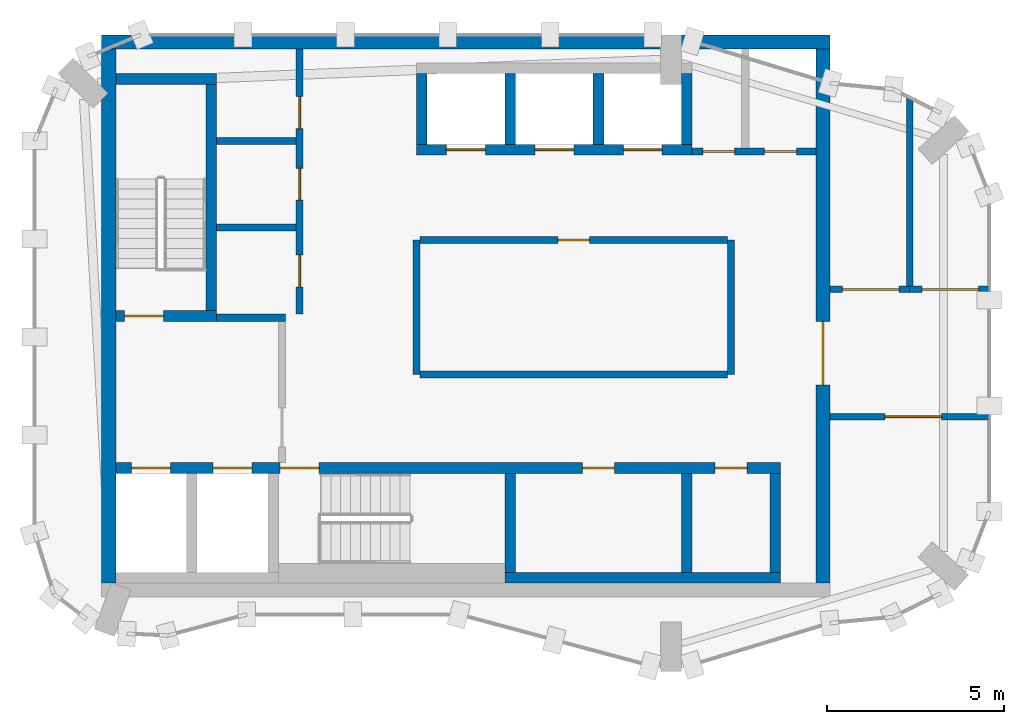
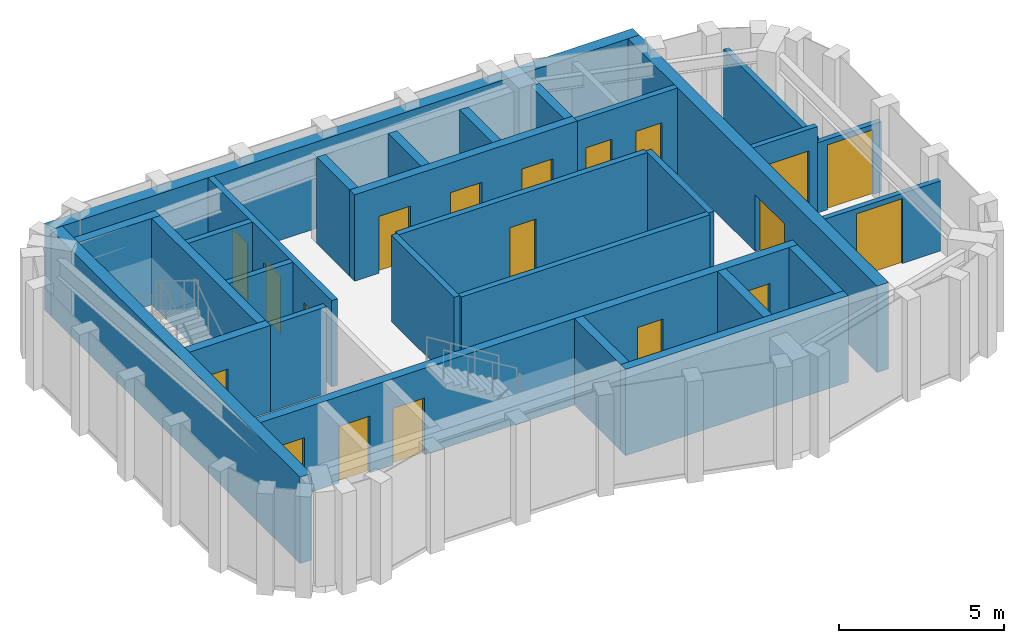
# One storey, part 3 of 5: 29 walls, 19 doors, 19 openings.
"""IFC4 building model written with IfcOpenShell, lengths in metres."""

from ifc_helpers import new_model, si_unit, direction, frame, frame_2d, origin, place, context, subcontext, project, spatial, rectangle, extrude, material, layer, layer_set, type_object, element, fill, save


model = new_model("IFC4")

# Units and contexts
model_context = context("Model", 3, precision=1e-05, world=origin(), true_north=direction((0.0, 1.0)))
body_context = subcontext(model_context, "Body", "Model", "MODEL_VIEW")
ifc_project = project(units=[si_unit("LENGTHUNIT", "METRE"), si_unit("AREAUNIT", "SQUARE_METRE"), si_unit("VOLUMEUNIT", "CUBIC_METRE"), si_unit("PLANEANGLEUNIT", "RADIAN"), si_unit("MASSUNIT", "GRAM", prefix="KILO")], contexts=[model_context])

# Site, building, storey
site_placement = place(None, origin())
site = spatial("IfcSite", under=ifc_project, at=site_placement, CompositionType="ELEMENT")
building_placement = place(site_placement, origin())
building = spatial("IfcBuilding", under=site, at=building_placement, Name="Plateau Cross Towers", CompositionType="ELEMENT")
storey_placement = place(building_placement, frame((0.0, 0.0, 308.89990234375)))
storey = spatial("IfcBuildingStorey", under=building, at=storey_placement, Name="L82 Crown 3", CompositionType="ELEMENT", Elevation=308.89990234375)

# Walls
ifc_material_1 = material(Name="Concrete block, plastered both sides", Category="concrete")
ifc_layer_1 = layer(ifc_material_1, 0.199951171875)
ifc_layer_set_1 = layer_set([ifc_layer_1], Name="Concrete block, plastered both sides")
wall_type_1 = type_object("IfcWallType", Name="Core partition 200", PredefinedType="PARTITIONING", material=ifc_layer_set_1)
wall_1_placement = place(storey_placement, frame((5.14990234375, 10.0, 0.0), z_axis=(0.0, 0.0, 1.0), x_axis=(1.0, 0.0, 0.0)))
element("IfcWall", 1, at=wall_1_placement, inside=storey, type_object=wall_type_1, Name="Core partition", PredefinedType="PARTITIONING", context=body_context, shape_type="SweptSolid", body=[
    extrude(rectangle(XDim=1.9501953125, YDim=0.199951171875, at=frame_2d((0.97509765625, 0.0))), origin(), (0.0, 0.0, 1.0), 3.2001953125),
])
wall_2_placement = place(storey_placement, frame((10.800048828125, 8.39990234375, 0.0), z_axis=(0.0, 0.0, 1.0), x_axis=(0.0, 1.0, 0.0)))
element("IfcWall", 2, at=wall_2_placement, inside=storey, type_object=wall_type_1, Name="Core partition", PredefinedType="PARTITIONING", context=body_context, shape_type="SweptSolid", body=[
    extrude(rectangle(XDim=3.800048828125, YDim=0.199951171875, at=frame_2d((1.89990234375, 0.0))), origin(), (0.0, 0.0, 1.0), 3.2001953125),
])
wall_3_placement = place(storey_placement, frame((10.89990234375, 8.39990234375, 0.0), z_axis=(0.0, 0.0, 1.0), x_axis=(1.0, 0.0, 0.0)))
element("IfcWall", 3, at=wall_3_placement, inside=storey, type_object=wall_type_1, Name="Core partition", PredefinedType="PARTITIONING", context=body_context, shape_type="SweptSolid", body=[
    extrude(rectangle(XDim=8.7001953125, YDim=0.199951171875, at=frame_2d((4.35009765625, 0.0))), origin(), (0.0, 0.0, 1.0), 3.2001953125),
])
wall_4_placement = place(storey_placement, frame((19.699951171875, 8.39990234375, 0.0), z_axis=(0.0, 0.0, 1.0), x_axis=(0.0, 1.0, 0.0)))
element("IfcWall", 4, at=wall_4_placement, inside=storey, type_object=wall_type_1, Name="Core partition", PredefinedType="PARTITIONING", context=body_context, shape_type="SweptSolid", body=[
    extrude(rectangle(XDim=3.800048828125, YDim=0.199951171875, at=frame_2d((1.89990234375, 0.0))), origin(), (0.0, 0.0, 1.0), 3.2001953125),
])

# Wall, opening, door
wall_5_placement = place(storey_placement, frame((10.89990234375, 12.199951171875, 0.0), z_axis=(0.0, 0.0, 1.0), x_axis=(1.0, 0.0, 0.0)))
wall_5 = element("IfcWall", 5, at=wall_5_placement, inside=storey, type_object=wall_type_1, Name="Core partition", PredefinedType="PARTITIONING", context=body_context, shape_type="SweptSolid", body=[
    extrude(rectangle(XDim=8.7001953125, YDim=0.199951171875, at=frame_2d((4.35009765625, 0.0))), origin(), (0.0, 0.0, 1.0), 3.2001953125),
])
opening_1_placement = place(wall_5_placement, frame((3.89990234375, 0.0, 0.0)))
opening_1 = element("IfcOpeningElement", 6, at=opening_1_placement, cuts=wall_5, Name="Opening RD1", PredefinedType="OPENING", context=body_context, shape_type="SweptSolid", body=[
    extrude(rectangle(XDim=0.89990234375, YDim=2.10009765625, at=frame_2d((0.449951171875, 1.050048828125))), frame((0.0, 0.10986328125, 0.0), z_axis=(0.0, -1.0, 0.0), x_axis=(1.0, 0.0, 0.0)), (0.0, 0.0, 1.0), 0.219970703125),
])
ifc_material_2 = material(Name="Timber, fire-resisting leaf", Category="wood")
door_type_1 = type_object("IfcDoorType", Name="Core service door 900", OperationType="NOTDEFINED", PredefinedType="DOOR", material=ifc_material_2)
door_1_placement = place(opening_1_placement, origin())
door_1 = element("IfcDoor", 7, at=door_1_placement, inside=storey, type_object=door_type_1, Name="Core service door RD1", OperationType="SINGLE_SWING_LEFT", OverallHeight=2.10009765625, OverallWidth=0.89990234375, PredefinedType="DOOR", context=body_context, shape_type="SweptSolid", body=[
    extrude(rectangle(XDim=0.89990234375, YDim=2.10009765625, at=frame_2d((0.449951171875, 1.050048828125))), frame((0.0, 0.02490234375, 0.0), z_axis=(0.0, -1.0, 0.0), x_axis=(1.0, 0.0, 0.0)), (0.0, 0.0, 1.0), 0.050048828125),
])
fill(opening_1, door_1)

# Wall, openings, doors
wall_6_placement = place(storey_placement, frame((7.5, 10.10009765625, 0.0), z_axis=(0.0, 0.0, 1.0), x_axis=(0.0, 1.0, 0.0)))
wall_6 = element("IfcWall", 8, at=wall_6_placement, inside=storey, type_object=wall_type_1, Name="Core partition", PredefinedType="PARTITIONING", context=body_context, shape_type="SweptSolid", body=[
    extrude(rectangle(XDim=7.5, YDim=0.199951171875, at=frame_2d((3.75, 0.0))), origin(), (0.0, 0.0, 1.0), 3.2001953125),
])
opening_2_placement = place(wall_6_placement, frame((0.77490234375, 0.0, 0.0)))
opening_2 = element("IfcOpeningElement", 9, at=opening_2_placement, cuts=wall_6, Name="Opening RD1", PredefinedType="OPENING", context=body_context, shape_type="SweptSolid", body=[
    extrude(rectangle(XDim=0.89990234375, YDim=2.10009765625, at=frame_2d((0.449951171875, 1.050048828125))), frame((0.0, 0.10986328125, 0.0), z_axis=(0.0, -1.0, 0.0), x_axis=(1.0, 0.0, 0.0)), (0.0, 0.0, 1.0), 0.219970703125),
])
opening_3_placement = place(wall_6_placement, frame((3.22509765625, 0.0, 0.0)))
opening_3 = element("IfcOpeningElement", 10, at=opening_3_placement, cuts=wall_6, Name="Opening RD1", PredefinedType="OPENING", context=body_context, shape_type="SweptSolid", body=[
    extrude(rectangle(XDim=0.89990234375, YDim=2.10009765625, at=frame_2d((0.449951171875, 1.050048828125))), frame((0.0, 0.10986328125, 0.0), z_axis=(0.0, -1.0, 0.0), x_axis=(1.0, 0.0, 0.0)), (0.0, 0.0, 1.0), 0.219970703125),
])
opening_4_placement = place(wall_6_placement, frame((5.25, 0.0, 0.0)))
opening_4 = element("IfcOpeningElement", 11, at=opening_4_placement, cuts=wall_6, Name="Opening RD1", PredefinedType="OPENING", context=body_context, shape_type="SweptSolid", body=[
    extrude(rectangle(XDim=0.89990234375, YDim=2.10009765625, at=frame_2d((0.449951171875, 1.050048828125))), frame((0.0, 0.10986328125, 0.0), z_axis=(0.0, -1.0, 0.0), x_axis=(1.0, 0.0, 0.0)), (0.0, 0.0, 1.0), 0.219970703125),
])
door_2_placement = place(opening_2_placement, origin())
door_2 = element("IfcDoor", 12, at=door_2_placement, inside=storey, type_object=door_type_1, Name="Core service door RD1", OperationType="SINGLE_SWING_RIGHT", OverallHeight=2.10009765625, OverallWidth=0.89990234375, PredefinedType="DOOR", context=body_context, shape_type="SweptSolid", body=[
    extrude(rectangle(XDim=0.89990234375, YDim=2.10009765625, at=frame_2d((0.449951171875, 1.050048828125))), frame((0.0, 0.02490234375, 0.0), z_axis=(0.0, -1.0, 0.0), x_axis=(1.0, 0.0, 0.0)), (0.0, 0.0, 1.0), 0.050048828125),
])
fill(opening_2, door_2)
door_3_placement = place(opening_3_placement, origin())
door_3 = element("IfcDoor", 13, at=door_3_placement, inside=storey, type_object=door_type_1, Name="Core service door RD1", OperationType="SINGLE_SWING_RIGHT", OverallHeight=2.10009765625, OverallWidth=0.89990234375, PredefinedType="DOOR", context=body_context, shape_type="SweptSolid", body=[
    extrude(rectangle(XDim=0.89990234375, YDim=2.10009765625, at=frame_2d((0.449951171875, 1.050048828125))), frame((0.0, 0.02490234375, 0.0), z_axis=(0.0, -1.0, 0.0), x_axis=(1.0, 0.0, 0.0)), (0.0, 0.0, 1.0), 0.050048828125),
])
fill(opening_3, door_3)
door_4_placement = place(opening_4_placement, origin())
door_4 = element("IfcDoor", 14, at=door_4_placement, inside=storey, type_object=door_type_1, Name="Core service door RD1", OperationType="SINGLE_SWING_RIGHT", OverallHeight=2.10009765625, OverallWidth=0.89990234375, PredefinedType="DOOR", context=body_context, shape_type="SweptSolid", body=[
    extrude(rectangle(XDim=0.89990234375, YDim=2.10009765625, at=frame_2d((0.449951171875, 1.050048828125))), frame((0.0, 0.02490234375, 0.0), z_axis=(0.0, -1.0, 0.0), x_axis=(1.0, 0.0, 0.0)), (0.0, 0.0, 1.0), 0.050048828125),
])
fill(opening_4, door_4)

# Walls
for number, where, z_axis, x_axis, name in (
    (15, (5.14990234375, 12.550048828125, 0.0), (0.0, 0.0, 1.0), (1.0, 0.0, 0.0), "Core partition"),
    (16, (5.14990234375, 15.0, 0.0), (0.0, 0.0, 1.0), (1.0, 0.0, 0.0), "Core partition"),
):
    element("IfcWall", number, at=place(storey_placement, frame(where, z_axis=z_axis, x_axis=x_axis)), inside=storey, type_object=wall_type_1, Name=name, PredefinedType="PARTITIONING", context=body_context, shape_type="SweptSolid", body=[
        extrude(rectangle(XDim=2.25, YDim=0.199951171875, at=frame_2d((1.125, 0.0))), origin(), (0.0, 0.0, 1.0), 3.2001953125),
    ])

# Wall, openings, doors
wall_7_placement = place(storey_placement, frame((18.60009765625, 14.699951171875, 0.0), z_axis=(0.0, 0.0, 1.0), x_axis=(1.0, 0.0, 0.0)))
wall_7 = element("IfcWall", 17, at=wall_7_placement, inside=storey, type_object=wall_type_1, Name="Core partition", PredefinedType="PARTITIONING", context=body_context, shape_type="SweptSolid", body=[
    extrude(rectangle(XDim=3.5, YDim=0.199951171875, at=frame_2d((1.75, 0.0))), origin(), (0.0, 0.0, 1.0), 3.2001953125),
])
opening_5_placement = place(wall_7_placement, frame((0.300048828125, 0.0, 0.0)))
opening_5 = element("IfcOpeningElement", 18, at=opening_5_placement, cuts=wall_7, Name="Opening RD2", PredefinedType="OPENING", context=body_context, shape_type="SweptSolid", body=[
    extrude(rectangle(XDim=0.89990234375, YDim=2.10009765625, at=frame_2d((0.449951171875, 1.050048828125))), frame((0.0, 0.10986328125, 0.0), z_axis=(0.0, -1.0, 0.0), x_axis=(1.0, 0.0, 0.0)), (0.0, 0.0, 1.0), 0.219970703125),
])
opening_6_placement = place(wall_7_placement, frame((2.050048828125, 0.0, 0.0)))
opening_6 = element("IfcOpeningElement", 19, at=opening_6_placement, cuts=wall_7, Name="Opening RD2", PredefinedType="OPENING", context=body_context, shape_type="SweptSolid", body=[
    extrude(rectangle(XDim=0.89990234375, YDim=2.10009765625, at=frame_2d((0.449951171875, 1.050048828125))), frame((0.0, 0.10986328125, 0.0), z_axis=(0.0, -1.0, 0.0), x_axis=(1.0, 0.0, 0.0)), (0.0, 0.0, 1.0), 0.219970703125),
])
ifc_material_3 = material(Name="Steel, fire-resisting leaf", Category="steel")
door_type_2 = type_object("IfcDoorType", Name="Core riser door 900", OperationType="NOTDEFINED", PredefinedType="DOOR", material=ifc_material_3)
door_5_placement = place(opening_5_placement, origin())
door_5 = element("IfcDoor", 20, at=door_5_placement, inside=storey, type_object=door_type_2, Name="Core riser door RD2", OperationType="SINGLE_SWING_LEFT", OverallHeight=2.10009765625, OverallWidth=0.89990234375, PredefinedType="DOOR", context=body_context, shape_type="SweptSolid", body=[
    extrude(rectangle(XDim=0.89990234375, YDim=2.10009765625, at=frame_2d((0.449951171875, 1.050048828125))), frame((0.0, 0.02490234375, 0.0), z_axis=(0.0, -1.0, 0.0), x_axis=(1.0, 0.0, 0.0)), (0.0, 0.0, 1.0), 0.050048828125),
])
fill(opening_5, door_5)
door_6_placement = place(opening_6_placement, origin())
door_6 = element("IfcDoor", 21, at=door_6_placement, inside=storey, type_object=door_type_2, Name="Core riser door RD2", OperationType="SINGLE_SWING_LEFT", OverallHeight=2.10009765625, OverallWidth=0.89990234375, PredefinedType="DOOR", context=body_context, shape_type="SweptSolid", body=[
    extrude(rectangle(XDim=0.89990234375, YDim=2.10009765625, at=frame_2d((0.449951171875, 1.050048828125))), frame((0.0, 0.02490234375, 0.0), z_axis=(0.0, -1.0, 0.0), x_axis=(1.0, 0.0, 0.0)), (0.0, 0.0, 1.0), 0.050048828125),
])
fill(opening_6, door_6)

# Walls
ifc_material_4 = material(Name="Concrete C60/75", Category="concrete")
ifc_layer_2 = layer(ifc_material_4, 0.300048828125)
ifc_layer_set_2 = layer_set([ifc_layer_2], Name="Concrete C60/75")
wall_type_2 = type_object("IfcWallType", Name="Core shaft wall 300", PredefinedType="SHEAR", material=ifc_layer_set_2)
wall_8_placement = place(storey_placement, frame((13.300048828125, 2.64990234375, 0.0), z_axis=(0.0, 0.0, 1.0), x_axis=(1.0, 0.0, 0.0)))
element("IfcWall", 22, at=wall_8_placement, inside=storey, type_object=wall_type_2, Name="A-sb-back3@L82 Crown 3", PredefinedType="SHEAR", context=body_context, shape_type="SweptSolid", body=[
    extrude(rectangle(XDim=7.800048828125, YDim=0.300048828125, at=frame_2d((3.89990234375, 0.0))), origin(), (0.0, 0.0, 1.0), 3.2001953125),
])
for number, where, z_axis, x_axis, name in (
    (23, (13.449951171875, 2.800048828125, 0.0), (0.0, 0.0, 1.0), (0.0, 1.0, 0.0), "A-sb-v3@L82 Crown 3"),
    (24, (18.449951171875, 2.800048828125, 0.0), (0.0, 0.0, 1.0), (0.0, 1.0, 0.0), "A-sb-v5@L82 Crown 3"),
    (25, (20.949951171875, 2.800048828125, 0.0), (0.0, 0.0, 1.0), (0.0, 1.0, 0.0), "A-sb-v6@L82 Crown 3"),
):
    element("IfcWall", number, at=place(storey_placement, frame(where, z_axis=z_axis, x_axis=x_axis)), inside=storey, type_object=wall_type_2, Name=name, PredefinedType="SHEAR", context=body_context, shape_type="SweptSolid", body=[
        extrude(rectangle(XDim=2.800048828125, YDim=0.300048828125, at=frame_2d((1.39990234375, 0.0))), origin(), (0.0, 0.0, 1.0), 3.2001953125),
    ])

# Wall, openings, doors
wall_9_placement = place(storey_placement, frame((2.300048828125, 5.75, 0.0), z_axis=(0.0, 0.0, 1.0), x_axis=(1.0, 0.0, 0.0)))
wall_9 = element("IfcWall", 26, at=wall_9_placement, inside=storey, type_object=wall_type_2, Name="A-sb-front@L82 Crown 3", PredefinedType="SHEAR", context=body_context, shape_type="SweptSolid", body=[
    extrude(rectangle(XDim=18.800048828125, YDim=0.300048828125, at=frame_2d((9.39990234375, 0.0))), origin(), (0.0, 0.0, 1.0), 3.2001953125),
])
opening_7_placement = place(wall_9_placement, frame((4.64990234375, 0.0, 0.0)))
opening_7 = element("IfcOpeningElement", 27, at=opening_7_placement, cuts=wall_9, Name="Opening SD", PredefinedType="OPENING", context=body_context, shape_type="SweptSolid", body=[
    extrude(rectangle(XDim=1.10009765625, YDim=2.10009765625, at=frame_2d((0.550048828125, 1.050048828125))), frame((0.0, 0.159912109375, 0.0), z_axis=(0.0, -1.0, 0.0), x_axis=(1.0, 0.0, 0.0)), (0.0, 0.0, 1.0), 0.320068359375),
])
opening_8_placement = place(wall_9_placement, frame((0.449951171875, 0.0, 0.0)))
opening_8 = element("IfcOpeningElement", 28, at=opening_8_placement, cuts=wall_9, Name="Opening LD", PredefinedType="OPENING", context=body_context, shape_type="SweptSolid", body=[
    extrude(rectangle(XDim=1.10009765625, YDim=2.10009765625, at=frame_2d((0.550048828125, 1.050048828125))), frame((0.0, 0.159912109375, 0.0), z_axis=(0.0, -1.0, 0.0), x_axis=(1.0, 0.0, 0.0)), (0.0, 0.0, 1.0), 0.320068359375),
])
opening_9_placement = place(wall_9_placement, frame((2.75, 0.0, 0.0)))
opening_9 = element("IfcOpeningElement", 29, at=opening_9_placement, cuts=wall_9, Name="Opening LD", PredefinedType="OPENING", context=body_context, shape_type="SweptSolid", body=[
    extrude(rectangle(XDim=1.10009765625, YDim=2.10009765625, at=frame_2d((0.550048828125, 1.050048828125))), frame((0.0, 0.159912109375, 0.0), z_axis=(0.0, -1.0, 0.0), x_axis=(1.0, 0.0, 0.0)), (0.0, 0.0, 1.0), 0.320068359375),
])
opening_10_placement = place(wall_9_placement, frame((13.199951171875, 0.0, 0.0)))
opening_10 = element("IfcOpeningElement", 30, at=opening_10_placement, cuts=wall_9, Name="Opening RD2", PredefinedType="OPENING", context=body_context, shape_type="SweptSolid", body=[
    extrude(rectangle(XDim=0.89990234375, YDim=2.10009765625, at=frame_2d((0.449951171875, 1.050048828125))), frame((0.0, 0.159912109375, 0.0), z_axis=(0.0, -1.0, 0.0), x_axis=(1.0, 0.0, 0.0)), (0.0, 0.0, 1.0), 0.320068359375),
])
opening_11_placement = place(wall_9_placement, frame((16.949951171875, 0.0, 0.0)))
opening_11 = element("IfcOpeningElement", 31, at=opening_11_placement, cuts=wall_9, Name="Opening RD2", PredefinedType="OPENING", context=body_context, shape_type="SweptSolid", body=[
    extrude(rectangle(XDim=0.89990234375, YDim=2.10009765625, at=frame_2d((0.449951171875, 1.050048828125))), frame((0.0, 0.159912109375, 0.0), z_axis=(0.0, -1.0, 0.0), x_axis=(1.0, 0.0, 0.0)), (0.0, 0.0, 1.0), 0.320068359375),
])
door_7_placement = place(opening_10_placement, origin())
door_7 = element("IfcDoor", 32, at=door_7_placement, inside=storey, type_object=door_type_2, Name="Core riser door RD2", OperationType="SINGLE_SWING_LEFT", OverallHeight=2.10009765625, OverallWidth=0.89990234375, PredefinedType="DOOR", context=body_context, shape_type="SweptSolid", body=[
    extrude(rectangle(XDim=0.89990234375, YDim=2.10009765625, at=frame_2d((0.449951171875, 1.050048828125))), frame((0.0, 0.02490234375, 0.0), z_axis=(0.0, -1.0, 0.0), x_axis=(1.0, 0.0, 0.0)), (0.0, 0.0, 1.0), 0.050048828125),
])
fill(opening_10, door_7)
door_8_placement = place(opening_11_placement, origin())
door_8 = element("IfcDoor", 33, at=door_8_placement, inside=storey, type_object=door_type_2, Name="Core riser door RD2", OperationType="SINGLE_SWING_LEFT", OverallHeight=2.10009765625, OverallWidth=0.89990234375, PredefinedType="DOOR", context=body_context, shape_type="SweptSolid", body=[
    extrude(rectangle(XDim=0.89990234375, YDim=2.10009765625, at=frame_2d((0.449951171875, 1.050048828125))), frame((0.0, 0.02490234375, 0.0), z_axis=(0.0, -1.0, 0.0), x_axis=(1.0, 0.0, 0.0)), (0.0, 0.0, 1.0), 0.050048828125),
])
fill(opening_11, door_8)
ifc_material_5 = material(Name="Stainless steel, fire-resisting sliding leaves", Category="steel")
door_type_3 = type_object("IfcDoorType", Name="Lift landing door 1100", OperationType="NOTDEFINED", PredefinedType="DOOR", material=ifc_material_5)
door_9_placement = place(opening_8_placement, origin())
door_9 = element("IfcDoor", 34, at=door_9_placement, inside=storey, type_object=door_type_3, Name="Lift landing door LD", OperationType="DOUBLE_DOOR_SLIDING", OverallHeight=2.10009765625, OverallWidth=1.10009765625, PredefinedType="DOOR", context=body_context, shape_type="SweptSolid", body=[
    extrude(rectangle(XDim=1.10009765625, YDim=2.10009765625, at=frame_2d((0.550048828125, 1.050048828125))), frame((0.0, 0.02490234375, 0.0), z_axis=(0.0, -1.0, 0.0), x_axis=(1.0, 0.0, 0.0)), (0.0, 0.0, 1.0), 0.050048828125),
])
fill(opening_8, door_9)
door_10_placement = place(opening_9_placement, origin())
door_10 = element("IfcDoor", 35, at=door_10_placement, inside=storey, type_object=door_type_3, Name="Lift landing door LD", OperationType="DOUBLE_DOOR_SLIDING", OverallHeight=2.10009765625, OverallWidth=1.10009765625, PredefinedType="DOOR", context=body_context, shape_type="SweptSolid", body=[
    extrude(rectangle(XDim=1.10009765625, YDim=2.10009765625, at=frame_2d((0.550048828125, 1.050048828125))), frame((0.0, 0.02490234375, 0.0), z_axis=(0.0, -1.0, 0.0), x_axis=(1.0, 0.0, 0.0)), (0.0, 0.0, 1.0), 0.050048828125),
])
fill(opening_9, door_10)
door_type_4 = type_object("IfcDoorType", Name="Stair door 1100", OperationType="NOTDEFINED", PredefinedType="DOOR", material=ifc_material_3)
door_11_placement = place(opening_7_placement, origin())
door_11 = element("IfcDoor", 36, at=door_11_placement, inside=storey, type_object=door_type_4, Name="Stair door SD", OperationType="SINGLE_SWING_LEFT", OverallHeight=2.10009765625, OverallWidth=1.10009765625, PredefinedType="DOOR", context=body_context, shape_type="SweptSolid", body=[
    extrude(rectangle(XDim=1.10009765625, YDim=2.10009765625, at=frame_2d((0.550048828125, 1.050048828125))), frame((0.0, 0.02490234375, 0.0), z_axis=(0.0, -1.0, 0.0), x_axis=(1.0, 0.0, 0.0)), (0.0, 0.0, 1.0), 0.050048828125),
])
fill(opening_7, door_11)

# Wall, opening, door
wall_10_placement = place(storey_placement, frame((2.300048828125, 10.050048828125, 0.0), z_axis=(0.0, 0.0, 1.0), x_axis=(1.0, 0.0, 0.0)))
wall_10 = element("IfcWall", 37, at=wall_10_placement, inside=storey, type_object=wall_type_2, Name="A-st1-S@L82 Crown 3", PredefinedType="SHEAR", context=body_context, shape_type="SweptSolid", body=[
    extrude(rectangle(XDim=2.849853515625, YDim=0.300048828125, at=frame_2d((1.4248046875, 0.0))), origin(), (0.0, 0.0, 1.0), 3.2001953125),
])
opening_12_placement = place(wall_10_placement, frame((0.25, 0.0, 0.0)))
opening_12 = element("IfcOpeningElement", 38, at=opening_12_placement, cuts=wall_10, Name="Opening SD", PredefinedType="OPENING", context=body_context, shape_type="SweptSolid", body=[
    extrude(rectangle(XDim=1.10009765625, YDim=2.10009765625, at=frame_2d((0.550048828125, 1.050048828125))), frame((0.0, 0.159912109375, 0.0), z_axis=(0.0, -1.0, 0.0), x_axis=(1.0, 0.0, 0.0)), (0.0, 0.0, 1.0), 0.320068359375),
])
door_12_placement = place(opening_12_placement, origin())
door_12 = element("IfcDoor", 39, at=door_12_placement, inside=storey, type_object=door_type_4, Name="Stair door SD", OperationType="SINGLE_SWING_RIGHT", OverallHeight=2.10009765625, OverallWidth=1.10009765625, PredefinedType="DOOR", context=body_context, shape_type="SweptSolid", body=[
    extrude(rectangle(XDim=1.10009765625, YDim=2.10009765625, at=frame_2d((0.550048828125, 1.050048828125))), frame((0.0, 0.02490234375, 0.0), z_axis=(0.0, -1.0, 0.0), x_axis=(1.0, 0.0, 0.0)), (0.0, 0.0, 1.0), 0.050048828125),
])
fill(opening_12, door_12)

# Walls
wall_11_placement = place(storey_placement, frame((5.0, 10.199951171875, 0.0), z_axis=(0.0, 0.0, 1.0), x_axis=(0.0, 1.0, 0.0)))
element("IfcWall", 40, at=wall_11_placement, inside=storey, type_object=wall_type_2, Name="A-st1-E@L82 Crown 3", PredefinedType="SHEAR", context=body_context, shape_type="SweptSolid", body=[
    extrude(rectangle(XDim=6.400146484375, YDim=0.300048828125, at=frame_2d((3.2001953125, 0.0))), origin(), (0.0, 0.0, 1.0), 3.2001953125),
])
wall_12_placement = place(storey_placement, frame((2.300048828125, 16.75, 0.0), z_axis=(0.0, 0.0, 1.0), x_axis=(1.0, 0.0, 0.0)))
element("IfcWall", 41, at=wall_12_placement, inside=storey, type_object=wall_type_2, Name="A-st1-N@L82 Crown 3", PredefinedType="SHEAR", context=body_context, shape_type="SweptSolid", body=[
    extrude(rectangle(XDim=2.849853515625, YDim=0.300048828125, at=frame_2d((1.4248046875, 0.0))), origin(), (0.0, 0.0, 1.0), 3.2001953125),
])

# Wall, openings, doors
wall_13_placement = place(storey_placement, frame((10.800048828125, 14.75, 0.0), z_axis=(0.0, 0.0, 1.0), x_axis=(1.0, 0.0, 0.0)))
wall_13 = element("IfcWall", 42, at=wall_13_placement, inside=storey, type_object=wall_type_2, Name="A-nb-front@L82 Crown 3", PredefinedType="SHEAR", context=body_context, shape_type="SweptSolid", body=[
    extrude(rectangle(XDim=7.800048828125, YDim=0.300048828125, at=frame_2d((3.89990234375, 0.0))), origin(), (0.0, 0.0, 1.0), 3.2001953125),
])
opening_13_placement = place(wall_13_placement, frame((0.85009765625, 0.0, 0.0)))
opening_13 = element("IfcOpeningElement", 43, at=opening_13_placement, cuts=wall_13, Name="Opening LD", PredefinedType="OPENING", context=body_context, shape_type="SweptSolid", body=[
    extrude(rectangle(XDim=1.10009765625, YDim=2.10009765625, at=frame_2d((0.550048828125, 1.050048828125))), frame((0.0, 0.159912109375, 0.0), z_axis=(0.0, -1.0, 0.0), x_axis=(1.0, 0.0, 0.0)), (0.0, 0.0, 1.0), 0.320068359375),
])
opening_14_placement = place(wall_13_placement, frame((3.35009765625, 0.0, 0.0)))
opening_14 = element("IfcOpeningElement", 44, at=opening_14_placement, cuts=wall_13, Name="Opening LD", PredefinedType="OPENING", context=body_context, shape_type="SweptSolid", body=[
    extrude(rectangle(XDim=1.10009765625, YDim=2.10009765625, at=frame_2d((0.550048828125, 1.050048828125))), frame((0.0, 0.159912109375, 0.0), z_axis=(0.0, -1.0, 0.0), x_axis=(1.0, 0.0, 0.0)), (0.0, 0.0, 1.0), 0.320068359375),
])
opening_15_placement = place(wall_13_placement, frame((5.85009765625, 0.0, 0.0)))
opening_15 = element("IfcOpeningElement", 45, at=opening_15_placement, cuts=wall_13, Name="Opening LD", PredefinedType="OPENING", context=body_context, shape_type="SweptSolid", body=[
    extrude(rectangle(XDim=1.10009765625, YDim=2.10009765625, at=frame_2d((0.550048828125, 1.050048828125))), frame((0.0, 0.159912109375, 0.0), z_axis=(0.0, -1.0, 0.0), x_axis=(1.0, 0.0, 0.0)), (0.0, 0.0, 1.0), 0.320068359375),
])
door_13_placement = place(opening_13_placement, origin())
door_13 = element("IfcDoor", 46, at=door_13_placement, inside=storey, type_object=door_type_3, Name="Lift landing door LD", OperationType="DOUBLE_DOOR_SLIDING", OverallHeight=2.10009765625, OverallWidth=1.10009765625, PredefinedType="DOOR", context=body_context, shape_type="SweptSolid", body=[
    extrude(rectangle(XDim=1.10009765625, YDim=2.10009765625, at=frame_2d((0.550048828125, 1.050048828125))), frame((0.0, 0.02490234375, 0.0), z_axis=(0.0, -1.0, 0.0), x_axis=(1.0, 0.0, 0.0)), (0.0, 0.0, 1.0), 0.050048828125),
])
fill(opening_13, door_13)
door_14_placement = place(opening_14_placement, origin())
door_14 = element("IfcDoor", 47, at=door_14_placement, inside=storey, type_object=door_type_3, Name="Lift landing door LD", OperationType="DOUBLE_DOOR_SLIDING", OverallHeight=2.10009765625, OverallWidth=1.10009765625, PredefinedType="DOOR", context=body_context, shape_type="SweptSolid", body=[
    extrude(rectangle(XDim=1.10009765625, YDim=2.10009765625, at=frame_2d((0.550048828125, 1.050048828125))), frame((0.0, 0.02490234375, 0.0), z_axis=(0.0, -1.0, 0.0), x_axis=(1.0, 0.0, 0.0)), (0.0, 0.0, 1.0), 0.050048828125),
])
fill(opening_14, door_14)
door_15_placement = place(opening_15_placement, origin())
door_15 = element("IfcDoor", 48, at=door_15_placement, inside=storey, type_object=door_type_3, Name="Lift landing door LD", OperationType="DOUBLE_DOOR_SLIDING", OverallHeight=2.10009765625, OverallWidth=1.10009765625, PredefinedType="DOOR", context=body_context, shape_type="SweptSolid", body=[
    extrude(rectangle(XDim=1.10009765625, YDim=2.10009765625, at=frame_2d((0.550048828125, 1.050048828125))), frame((0.0, 0.02490234375, 0.0), z_axis=(0.0, -1.0, 0.0), x_axis=(1.0, 0.0, 0.0)), (0.0, 0.0, 1.0), 0.050048828125),
])
fill(opening_15, door_15)

# Walls
for number, where, z_axis, x_axis, name in (
    (49, (10.949951171875, 14.89990234375, 0.0), (0.0, 0.0, 1.0), (0.0, 1.0, 0.0), "A-nb-v1@L82 Crown 3"),
    (50, (13.449951171875, 14.89990234375, 0.0), (0.0, 0.0, 1.0), (0.0, 1.0, 0.0), "A-nb-v2@L82 Crown 3"),
    (51, (15.949951171875, 14.89990234375, 0.0), (0.0, 0.0, 1.0), (0.0, 1.0, 0.0), "A-nb-v3@L82 Crown 3"),
    (52, (18.449951171875, 14.89990234375, 0.0), (0.0, 0.0, 1.0), (0.0, 1.0, 0.0), "A-nb-v4@L82 Crown 3"),
):
    element("IfcWall", number, at=place(storey_placement, frame(where, z_axis=z_axis, x_axis=x_axis)), inside=storey, type_object=wall_type_2, Name=name, PredefinedType="SHEAR", context=body_context, shape_type="SweptSolid", body=[
        extrude(rectangle(XDim=2.0, YDim=0.300048828125, at=frame_2d((1.0, 0.0))), origin(), (0.0, 0.0, 1.0), 3.2001953125),
    ])
ifc_layer_3 = layer(ifc_material_4, 0.39990234375)
ifc_layer_set_3 = layer_set([ifc_layer_3], Name="Concrete C60/75")
wall_type_3 = type_object("IfcWallType", Name="Core shell wall 400", PredefinedType="SHEAR", material=ifc_layer_set_3)
wall_14_placement = place(storey_placement, frame((1.89990234375, 17.800048828125, 0.0), z_axis=(0.0, 0.0, 1.0), x_axis=(1.0, 0.0, 0.0)))
element("IfcWall", 53, at=wall_14_placement, inside=storey, type_object=wall_type_3, Name="A-core-N@L82 Crown 3", PredefinedType="SHEAR", context=body_context, shape_type="SweptSolid", body=[
    extrude(rectangle(XDim=20.60009765625, YDim=0.39990234375, at=frame_2d((10.300048828125, 0.0))), origin(), (0.0, 0.0, 1.0), 3.2001953125),
])
wall_15_placement = place(storey_placement, frame((2.10009765625, 2.5, 0.0), z_axis=(0.0, 0.0, 1.0), x_axis=(0.0, 1.0, 0.0)))
element("IfcWall", 54, at=wall_15_placement, inside=storey, type_object=wall_type_3, Name="A-core-W@L82 Crown 3", PredefinedType="SHEAR", context=body_context, shape_type="SweptSolid", body=[
    extrude(rectangle(XDim=15.10009765625, YDim=0.39990234375, at=frame_2d((7.550048828125, 0.0))), origin(), (0.0, 0.0, 1.0), 3.2001953125),
])

# Wall, opening, door
wall_16_placement = place(storey_placement, frame((22.300048828125, 2.5, 0.0), z_axis=(0.0, 0.0, 1.0), x_axis=(0.0, 1.0, 0.0)))
wall_16 = element("IfcWall", 55, at=wall_16_placement, inside=storey, type_object=wall_type_3, Name="A-core-E@L82 Crown 3", PredefinedType="SHEAR", context=body_context, shape_type="SweptSolid", body=[
    extrude(rectangle(XDim=15.10009765625, YDim=0.39990234375, at=frame_2d((7.550048828125, 0.0))), origin(), (0.0, 0.0, 1.0), 3.2001953125),
])
opening_16_placement = place(wall_16_placement, frame((5.60009765625, 0.0, 0.0)))
opening_16 = element("IfcOpeningElement", 56, at=opening_16_placement, cuts=wall_16, Name="Opening CD", PredefinedType="OPENING", context=body_context, shape_type="SweptSolid", body=[
    extrude(rectangle(XDim=1.800048828125, YDim=2.10009765625, at=frame_2d((0.89990234375, 1.050048828125))), frame((0.0, 0.2099609375, 0.0), z_axis=(0.0, -1.0, 0.0), x_axis=(1.0, 0.0, 0.0)), (0.0, 0.0, 1.0), 0.419921875),
])
ifc_material_6 = material(Name="Steel, fire-resisting leaves", Category="steel")
door_type_5 = type_object("IfcDoorType", Name="Corridor door pair 1800", OperationType="NOTDEFINED", PredefinedType="DOOR", material=ifc_material_6)
door_16_placement = place(opening_16_placement, origin())
door_16 = element("IfcDoor", 57, at=door_16_placement, inside=storey, type_object=door_type_5, Name="Corridor door pair CD", OperationType="DOUBLE_DOOR_SINGLE_SWING", OverallHeight=2.10009765625, OverallWidth=1.800048828125, PredefinedType="DOOR", context=body_context, shape_type="SweptSolid", body=[
    extrude(rectangle(XDim=1.800048828125, YDim=2.10009765625, at=frame_2d((0.89990234375, 1.050048828125))), frame((0.0, 0.02490234375, 0.0), z_axis=(0.0, -1.0, 0.0), x_axis=(1.0, 0.0, 0.0)), (0.0, 0.0, 1.0), 0.050048828125),
])
fill(opening_16, door_16)

# Wall
ifc_material_7 = material(Name="Dense masonry block, plastered, acoustic lining", Category="masonry")
ifc_layer_4 = layer(ifc_material_7, 0.179931640625)
ifc_layer_set_4 = layer_set([ifc_layer_4], Name="Dense masonry block, plastered, acoustic lining")
wall_type_4 = type_object("IfcWallType", Name="Plant room acoustic wall 180", PredefinedType="PARTITIONING", material=ifc_layer_set_4)
wall_17_placement = place(storey_placement, frame((24.75, 16.23193359375, 0.0), z_axis=(0.0, 0.0, 1.0), x_axis=(0.0, -1.0, 0.0)))
element("IfcWall", 58, at=wall_17_placement, inside=storey, type_object=wall_type_4, Name="Partition wall", PredefinedType="PARTITIONING", context=body_context, shape_type="SweptSolid", body=[
    extrude(rectangle(XDim=5.431884765625, YDim=0.179931640625, at=frame_2d((2.7158203125, 0.0))), origin(), (0.0, 0.0, 1.0), 2.7470703125),
])

# Wall, opening, door
wall_18_placement = place(storey_placement, frame((27.0, 7.199951171875, 0.0), z_axis=(0.0, 0.0, 1.0), x_axis=(-1.0, 0.0, 0.0)))
wall_18 = element("IfcWall", 59, at=wall_18_placement, inside=storey, type_object=wall_type_4, Name="Partition wall", PredefinedType="PARTITIONING", context=body_context, shape_type="SweptSolid", body=[
    extrude(rectangle(XDim=4.5, YDim=0.179931640625, at=frame_2d((2.25, 0.0))), origin(), (0.0, 0.0, 1.0), 2.592041015625),
])
opening_17_placement = place(wall_18_placement, frame((1.35009765625, 0.0, 0.0)))
opening_17 = element("IfcOpeningElement", 60, at=opening_17_placement, cuts=wall_18, Name="Opening 823-01", PredefinedType="OPENING", context=body_context, shape_type="SweptSolid", body=[
    extrude(rectangle(XDim=1.60009765625, YDim=2.39990234375, at=frame_2d((0.800048828125, 1.199951171875))), frame((0.0, 0.099853515625, 0.0), z_axis=(0.0, -1.0, 0.0), x_axis=(1.0, 0.0, 0.0)), (0.0, 0.0, 1.0), 0.199951171875),
])
ifc_material_8 = material(Name="Steel, fire-resisting double leaf with louvre panel", Category="steel")
door_type_6 = type_object("IfcDoorType", Name="Plant room double door 1600x2400", OperationType="NOTDEFINED", PredefinedType="DOOR", material=ifc_material_8)
door_17_placement = place(opening_17_placement, origin())
door_17 = element("IfcDoor", 61, at=door_17_placement, inside=storey, type_object=door_type_6, Name="Door 823-01", OperationType="SINGLE_SWING_LEFT", OverallHeight=2.39990234375, OverallWidth=1.60009765625, PredefinedType="DOOR", context=body_context, shape_type="SweptSolid", body=[
    extrude(rectangle(XDim=1.60009765625, YDim=2.39990234375, at=frame_2d((0.800048828125, 1.199951171875))), frame((0.0, 0.02490234375, 0.0), z_axis=(0.0, -1.0, 0.0), x_axis=(1.0, 0.0, 0.0)), (0.0, 0.0, 1.0), 0.050048828125),
])
fill(opening_17, door_17)

wall_19_placement = place(storey_placement, frame((22.5, 10.800048828125, 0.0), z_axis=(0.0, 0.0, 1.0), x_axis=(1.0, 0.0, 0.0)))
wall_19 = element("IfcWall", 62, at=wall_19_placement, inside=storey, type_object=wall_type_4, Name="Partition wall", PredefinedType="PARTITIONING", context=body_context, shape_type="SweptSolid", body=[
    extrude(rectangle(XDim=2.25, YDim=0.179931640625, at=frame_2d((1.125, 0.0))), origin(), (0.0, 0.0, 1.0), 3.2001953125),
])
opening_18_placement = place(wall_19_placement, frame((0.35009765625, 0.0, 0.0)))
opening_18 = element("IfcOpeningElement", 63, at=opening_18_placement, cuts=wall_19, Name="Opening 823-02", PredefinedType="OPENING", context=body_context, shape_type="SweptSolid", body=[
    extrude(rectangle(XDim=1.60009765625, YDim=2.39990234375, at=frame_2d((0.800048828125, 1.199951171875))), frame((0.0, 0.099853515625, 0.0), z_axis=(0.0, -1.0, 0.0), x_axis=(1.0, 0.0, 0.0)), (0.0, 0.0, 1.0), 0.199951171875),
])
door_18_placement = place(opening_18_placement, origin())
door_18 = element("IfcDoor", 64, at=door_18_placement, inside=storey, type_object=door_type_6, Name="Door 823-02", OperationType="SINGLE_SWING_LEFT", OverallHeight=2.39990234375, OverallWidth=1.60009765625, PredefinedType="DOOR", context=body_context, shape_type="SweptSolid", body=[
    extrude(rectangle(XDim=1.60009765625, YDim=2.39990234375, at=frame_2d((0.800048828125, 1.199951171875))), frame((0.0, 0.02490234375, 0.0), z_axis=(0.0, -1.0, 0.0), x_axis=(1.0, 0.0, 0.0)), (0.0, 0.0, 1.0), 0.050048828125),
])
fill(opening_18, door_18)

wall_20_placement = place(storey_placement, frame((24.75, 10.800048828125, 0.0), z_axis=(0.0, 0.0, 1.0), x_axis=(1.0, 0.0, 0.0)))
wall_20 = element("IfcWall", 65, at=wall_20_placement, inside=storey, type_object=wall_type_4, Name="Partition wall", PredefinedType="PARTITIONING", context=body_context, shape_type="SweptSolid", body=[
    extrude(rectangle(XDim=2.25, YDim=0.179931640625, at=frame_2d((1.125, 0.0))), origin(), (0.0, 0.0, 1.0), 2.592041015625),
])
opening_19_placement = place(wall_20_placement, frame((0.35009765625, 0.0, 0.0)))
opening_19 = element("IfcOpeningElement", 66, at=opening_19_placement, cuts=wall_20, Name="Opening 823-03", PredefinedType="OPENING", context=body_context, shape_type="SweptSolid", body=[
    extrude(rectangle(XDim=1.60009765625, YDim=2.39990234375, at=frame_2d((0.800048828125, 1.199951171875))), frame((0.0, 0.099853515625, 0.0), z_axis=(0.0, -1.0, 0.0), x_axis=(1.0, 0.0, 0.0)), (0.0, 0.0, 1.0), 0.199951171875),
])
door_19_placement = place(opening_19_placement, origin())
door_19 = element("IfcDoor", 67, at=door_19_placement, inside=storey, type_object=door_type_6, Name="Door 823-03", OperationType="SINGLE_SWING_LEFT", OverallHeight=2.39990234375, OverallWidth=1.60009765625, PredefinedType="DOOR", context=body_context, shape_type="SweptSolid", body=[
    extrude(rectangle(XDim=1.60009765625, YDim=2.39990234375, at=frame_2d((0.800048828125, 1.199951171875))), frame((0.0, 0.02490234375, 0.0), z_axis=(0.0, -1.0, 0.0), x_axis=(1.0, 0.0, 0.0)), (0.0, 0.0, 1.0), 0.050048828125),
])
fill(opening_19, door_19)

save(model, "model.ifc")
